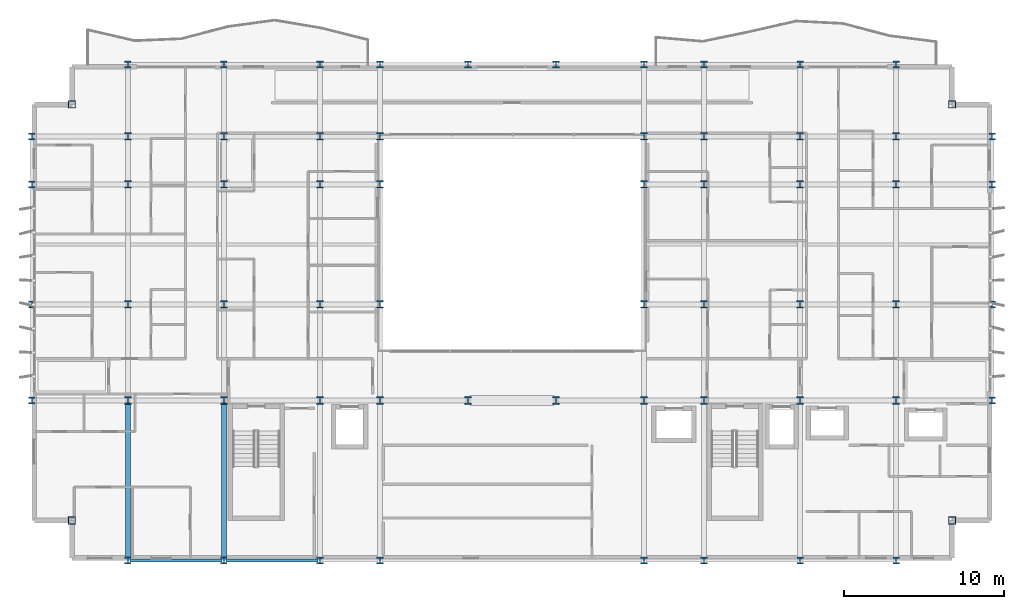
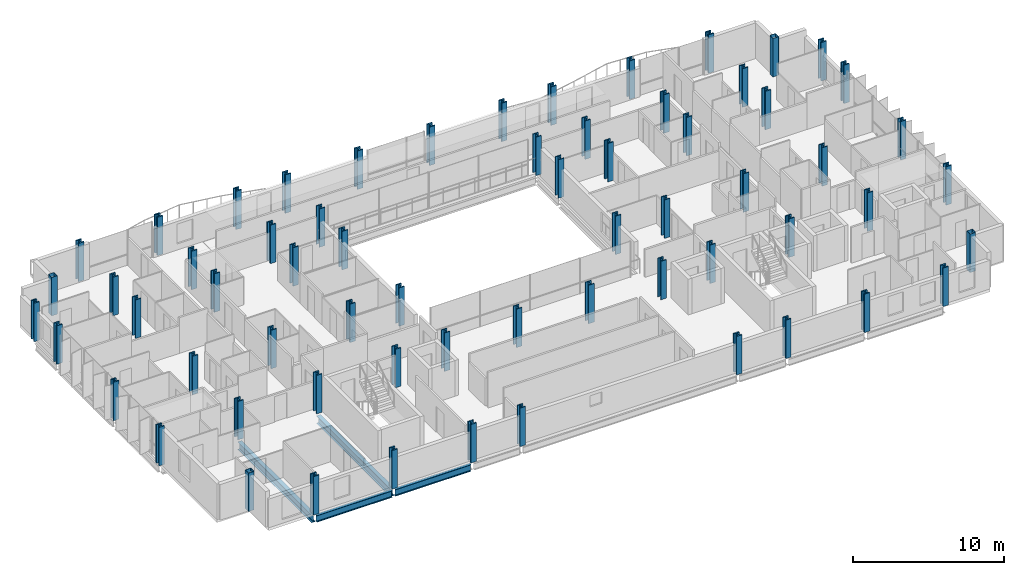
# One storey, part 1 of 38: 64 columns, 4 beams.
"""IFC4 building model written with IfcOpenShell, lengths in metres."""

from ifc_helpers import new_model, si_unit, direction, frame, origin, origin_2d, place, context, subcontext, project, spatial, hollow_rectangle, i_section, extrude, material, material_profile, profile_set, type_object, element, save


model = new_model("IFC4")

# Units and contexts
model_context = context("Model", 3, precision=1e-05, world=origin(), true_north=direction((0.0, 1.0)))
body_context = subcontext(model_context, "Body", "Model", "MODEL_VIEW")
ifc_project = project(units=[si_unit("LENGTHUNIT", "METRE"), si_unit("AREAUNIT", "SQUARE_METRE"), si_unit("VOLUMEUNIT", "CUBIC_METRE"), si_unit("PLANEANGLEUNIT", "RADIAN"), si_unit("MASSUNIT", "GRAM", prefix="KILO")], contexts=[model_context])

# Site, building, storey
site_placement = place(None, origin())
site = spatial("IfcSite", under=ifc_project, at=site_placement, CompositionType="ELEMENT")
building_placement = place(site_placement, origin())
building = spatial("IfcBuilding", under=site, at=building_placement, Name="Brevholm Reach", CompositionType="ELEMENT")
storey_placement = place(building_placement, frame((0.0, 0.0, 59.0)))
storey = spatial("IfcBuildingStorey", under=building, at=storey_placement, Name="L16", CompositionType="ELEMENT", Elevation=59.0)

# Columns
ifc_material_1 = material(Name="Structural Steel S460ML", Category="steel")
ifc_material_profile_1 = material_profile(ifc_material_1, i_section(OverallWidth=0.4140625, OverallDepth=0.444091796875, WebThickness=0.060546875, FlangeThickness=0.096923828125, FilletRadius=0.014892578125, at=origin_2d()), Name="HD 400x818")
ifc_profile_set_1 = profile_set([ifc_material_profile_1], Name="Structural Steel S460ML")
column_type_1 = type_object("IfcColumnType", Name="COL-HD2", PredefinedType="COLUMN", material=ifc_profile_set_1)
for number, where, z_axis, x_axis, name in (
    (1, (0.0, 10.0, 0.0), (0.0, 0.0, 1.0), (1.0, 0.0, 0.0), "L16 Column 01"),
    (2, (0.0, 16.0, 0.0), (0.0, 0.0, 1.0), (1.0, 0.0, 0.0), "L16 Column 02"),
    (3, (0.0, 23.5, 0.0), (0.0, 0.0, 1.0), (1.0, 0.0, 0.0), "L16 Column 03"),
    (4, (0.0, 26.5, 0.0), (0.0, 0.0, 1.0), (1.0, 0.0, 0.0), "L16 Column 04"),
    (5, (6.0, 0.0, 0.0), (0.0, 0.0, 1.0), (1.0, 0.0, 0.0), "L16 Column 07"),
    (6, (6.0, 31.0, 0.0), (0.0, 0.0, 1.0), (1.0, 0.0, 0.0), "L16 Column 12"),
    (7, (12.0, 0.0, 0.0), (0.0, 0.0, 1.0), (1.0, 0.0, 0.0), "L16 Column 13"),
    (8, (12.0, 31.0, 0.0), (0.0, 0.0, 1.0), (1.0, 0.0, 0.0), "L16 Column 18"),
    (9, (18.0, 0.0, 0.0), (0.0, 0.0, 1.0), (1.0, 0.0, 0.0), "L16 Column 19"),
    (10, (18.0, 31.0, 0.0), (0.0, 0.0, 1.0), (1.0, 0.0, 0.0), "L16 Column 24"),
    (11, (21.75, 0.0, 0.0), (0.0, 0.0, 1.0), (1.0, 0.0, 0.0), "L16 Column 25"),
    (12, (21.75, 31.0, 0.0), (0.0, 0.0, 1.0), (1.0, 0.0, 0.0), "L16 Column 30"),
    (13, (27.25, 31.0, 0.0), (0.0, 0.0, 1.0), (1.0, 0.0, 0.0), "L16 Column 32"),
    (14, (32.75, 31.0, 0.0), (0.0, 0.0, 1.0), (1.0, 0.0, 0.0), "L16 Column 34"),
    (15, (38.25, 0.0, 0.0), (0.0, 0.0, 1.0), (1.0, 0.0, 0.0), "L16 Column 35"),
    (16, (38.25, 31.0, 0.0), (0.0, 0.0, 1.0), (1.0, 0.0, 0.0), "L16 Column 40"),
    (17, (42.0, 0.0, 0.0), (0.0, 0.0, 1.0), (1.0, 0.0, 0.0), "L16 Column 41"),
    (18, (42.0, 31.0, 0.0), (0.0, 0.0, 1.0), (1.0, 0.0, 0.0), "L16 Column 46"),
    (19, (48.0, 0.0, 0.0), (0.0, 0.0, 1.0), (1.0, 0.0, 0.0), "L16 Column 47"),
    (20, (48.0, 31.0, 0.0), (0.0, 0.0, 1.0), (1.0, 0.0, 0.0), "L16 Column 52"),
    (21, (54.0, 0.0, 0.0), (0.0, 0.0, 1.0), (1.0, 0.0, 0.0), "L16 Column 53"),
    (22, (54.0, 31.0, 0.0), (0.0, 0.0, 1.0), (1.0, 0.0, 0.0), "L16 Column 58"),
    (23, (60.0, 10.0, 0.0), (0.0, 0.0, 1.0), (1.0, 0.0, 0.0), "L16 Column 61"),
    (24, (60.0, 16.0, 0.0), (0.0, 0.0, 1.0), (1.0, 0.0, 0.0), "L16 Column 62"),
    (25, (60.0, 23.5, 0.0), (0.0, 0.0, 1.0), (1.0, 0.0, 0.0), "L16 Column 63"),
    (26, (60.0, 26.5, 0.0), (0.0, 0.0, 1.0), (1.0, 0.0, 0.0), "L16 Column 64"),
):
    element("IfcColumn", number, at=place(storey_placement, frame(where, z_axis=z_axis, x_axis=x_axis)), inside=storey, type_object=column_type_1, Name=name, PredefinedType="COLUMN", context=body_context, shape_type="SweptSolid", body=[
        extrude(i_section(OverallWidth=0.4140625, OverallDepth=0.444091796875, WebThickness=0.060546875, FlangeThickness=0.096923828125, FilletRadius=0.014892578125, at=origin_2d()), origin(), (0.0, 0.0, 1.0), 3.10009765625),
    ])
ifc_material_2 = material(Name="Structural Steel S460NH", Category="steel")
ifc_material_profile_2 = material_profile(ifc_material_2, hollow_rectangle(XDim=0.449951171875, YDim=0.449951171875, WallThickness=0.02490234375, InnerFilletRadius=0.011962890625, OuterFilletRadius=0.02392578125, at=origin_2d()), Name="SHS 450x450x25")
ifc_profile_set_2 = profile_set([ifc_material_profile_2], Name="Structural Steel S460NH")
column_type_2 = type_object("IfcColumnType", Name="COL-SHS1", PredefinedType="COLUMN", material=ifc_profile_set_2)
for number, where, z_axis, x_axis, name in (
    (27, (2.5, 2.5, 0.0), (0.0, 0.0, 1.0), (1.0, 0.0, 0.0), "L16 Column 05"),
    (28, (2.5, 28.5, 0.0), (0.0, 0.0, 1.0), (1.0, 0.0, 0.0), "L16 Column 06"),
    (29, (57.5, 2.5, 0.0), (0.0, 0.0, 1.0), (1.0, 0.0, 0.0), "L16 Column 59"),
    (30, (57.5, 28.5, 0.0), (0.0, 0.0, 1.0), (1.0, 0.0, 0.0), "L16 Column 60"),
):
    element("IfcColumn", number, at=place(storey_placement, frame(where, z_axis=z_axis, x_axis=x_axis)), inside=storey, type_object=column_type_2, Name=name, PredefinedType="COLUMN", context=body_context, shape_type="SweptSolid", body=[
        extrude(hollow_rectangle(XDim=0.449951171875, YDim=0.449951171875, WallThickness=0.02490234375, InnerFilletRadius=0.011962890625, OuterFilletRadius=0.02392578125, at=origin_2d()), origin(), (0.0, 0.0, 1.0), 3.10009765625),
    ])
ifc_material_3 = material(Name="Structural Steel S460ML", Category="steel")
ifc_material_profile_3 = material_profile(ifc_material_3, i_section(OverallWidth=0.424072265625, OverallDepth=0.474609375, WebThickness=0.047607421875, FlangeThickness=0.076904296875, FilletRadius=0.01513671875, at=origin_2d()), Name="UKC 356x406x634")
ifc_profile_set_3 = profile_set([ifc_material_profile_3], Name="Structural Steel S460ML")
column_type_3 = type_object("IfcColumnType", Name="COL-UC1", PredefinedType="COLUMN", material=ifc_profile_set_3)
for number, where, z_axis, x_axis, name in (
    (31, (6.0, 10.0, 0.0), (0.0, 0.0, 1.0), (1.0, 0.0, 0.0), "L16 Column 08"),
    (32, (6.0, 16.0, 0.0), (0.0, 0.0, 1.0), (1.0, 0.0, 0.0), "L16 Column 09"),
    (33, (6.0, 23.5, 0.0), (0.0, 0.0, 1.0), (1.0, 0.0, 0.0), "L16 Column 10"),
    (34, (6.0, 26.5, 0.0), (0.0, 0.0, 1.0), (1.0, 0.0, 0.0), "L16 Column 11"),
    (35, (12.0, 10.0, 0.0), (0.0, 0.0, 1.0), (1.0, 0.0, 0.0), "L16 Column 14"),
    (36, (12.0, 16.0, 0.0), (0.0, 0.0, 1.0), (1.0, 0.0, 0.0), "L16 Column 15"),
    (37, (12.0, 23.5, 0.0), (0.0, 0.0, 1.0), (1.0, 0.0, 0.0), "L16 Column 16"),
    (38, (12.0, 26.5, 0.0), (0.0, 0.0, 1.0), (1.0, 0.0, 0.0), "L16 Column 17"),
    (39, (18.0, 10.0, 0.0), (0.0, 0.0, 1.0), (1.0, 0.0, 0.0), "L16 Column 20"),
    (40, (18.0, 16.0, 0.0), (0.0, 0.0, 1.0), (1.0, 0.0, 0.0), "L16 Column 21"),
    (41, (18.0, 23.5, 0.0), (0.0, 0.0, 1.0), (1.0, 0.0, 0.0), "L16 Column 22"),
    (42, (18.0, 26.5, 0.0), (0.0, 0.0, 1.0), (1.0, 0.0, 0.0), "L16 Column 23"),
    (43, (21.75, 10.0, 0.0), (0.0, 0.0, 1.0), (1.0, 0.0, 0.0), "L16 Column 26"),
    (44, (21.75, 16.0, 0.0), (0.0, 0.0, 1.0), (1.0, 0.0, 0.0), "L16 Column 27"),
    (45, (21.75, 23.5, 0.0), (0.0, 0.0, 1.0), (1.0, 0.0, 0.0), "L16 Column 28"),
    (46, (21.75, 26.5, 0.0), (0.0, 0.0, 1.0), (1.0, 0.0, 0.0), "L16 Column 29"),
    (47, (27.25, 10.0, 0.0), (0.0, 0.0, 1.0), (1.0, 0.0, 0.0), "L16 Column 31"),
    (48, (32.75, 10.0, 0.0), (0.0, 0.0, 1.0), (1.0, 0.0, 0.0), "L16 Column 33"),
    (49, (38.25, 10.0, 0.0), (0.0, 0.0, 1.0), (1.0, 0.0, 0.0), "L16 Column 36"),
    (50, (38.25, 16.0, 0.0), (0.0, 0.0, 1.0), (1.0, 0.0, 0.0), "L16 Column 37"),
    (51, (38.25, 23.5, 0.0), (0.0, 0.0, 1.0), (1.0, 0.0, 0.0), "L16 Column 38"),
    (52, (38.25, 26.5, 0.0), (0.0, 0.0, 1.0), (1.0, 0.0, 0.0), "L16 Column 39"),
    (53, (42.0, 10.0, 0.0), (0.0, 0.0, 1.0), (1.0, 0.0, 0.0), "L16 Column 42"),
    (54, (42.0, 16.0, 0.0), (0.0, 0.0, 1.0), (1.0, 0.0, 0.0), "L16 Column 43"),
    (55, (42.0, 23.5, 0.0), (0.0, 0.0, 1.0), (1.0, 0.0, 0.0), "L16 Column 44"),
    (56, (42.0, 26.5, 0.0), (0.0, 0.0, 1.0), (1.0, 0.0, 0.0), "L16 Column 45"),
    (57, (48.0, 10.0, 0.0), (0.0, 0.0, 1.0), (1.0, 0.0, 0.0), "L16 Column 48"),
    (58, (48.0, 16.0, 0.0), (0.0, 0.0, 1.0), (1.0, 0.0, 0.0), "L16 Column 49"),
    (59, (48.0, 23.5, 0.0), (0.0, 0.0, 1.0), (1.0, 0.0, 0.0), "L16 Column 50"),
    (60, (48.0, 26.5, 0.0), (0.0, 0.0, 1.0), (1.0, 0.0, 0.0), "L16 Column 51"),
    (61, (54.0, 10.0, 0.0), (0.0, 0.0, 1.0), (1.0, 0.0, 0.0), "L16 Column 54"),
    (62, (54.0, 16.0, 0.0), (0.0, 0.0, 1.0), (1.0, 0.0, 0.0), "L16 Column 55"),
    (63, (54.0, 23.5, 0.0), (0.0, 0.0, 1.0), (1.0, 0.0, 0.0), "L16 Column 56"),
    (64, (54.0, 26.5, 0.0), (0.0, 0.0, 1.0), (1.0, 0.0, 0.0), "L16 Column 57"),
):
    element("IfcColumn", number, at=place(storey_placement, frame(where, z_axis=z_axis, x_axis=x_axis)), inside=storey, type_object=column_type_3, Name=name, PredefinedType="COLUMN", context=body_context, shape_type="SweptSolid", body=[
        extrude(i_section(OverallWidth=0.424072265625, OverallDepth=0.474609375, WebThickness=0.047607421875, FlangeThickness=0.076904296875, FilletRadius=0.01513671875, at=origin_2d()), origin(), (0.0, 0.0, 1.0), 3.10009765625),
    ])

# Beams
ifc_material_4 = material(Name="Structural Steel S355J2", Category="steel")
ifc_material_profile_4 = material_profile(ifc_material_4, i_section(OverallWidth=0.210693359375, OverallDepth=0.53955078125, WebThickness=0.01171875, FlangeThickness=0.018798828125, FilletRadius=0.0126953125, at=origin_2d()), Name="UKB 533x210x109")
ifc_profile_set_4 = profile_set([ifc_material_profile_4], Name="Structural Steel S355J2")
beam_type_1 = type_object("IfcBeamType", Name="BM-SP539", PredefinedType="SPANDREL", material=ifc_profile_set_4)
for number, where, z_axis, x_axis, name in (
    (65, (6.1201171875, 0.0, -0.499755859375), (1.0, 0.0, 0.0), (0.0, 1.0, 0.0), "L16 SP-01B Framing Beam"),
    (66, (12.1201171875, 0.0, -0.499755859375), (1.0, 0.0, 0.0), (0.0, 1.0, 0.0), "L16 SP-01B Framing Beam"),
):
    element("IfcBeam", number, at=place(storey_placement, frame(where, z_axis=z_axis, x_axis=x_axis)), inside=storey, type_object=beam_type_1, Name=name, PredefinedType="SPANDREL", context=body_context, shape_type="SweptSolid", body=[
        extrude(i_section(OverallWidth=0.210693359375, OverallDepth=0.53955078125, WebThickness=0.01171875, FlangeThickness=0.018798828125, FilletRadius=0.0126953125, at=origin_2d()), origin(), (0.0, 0.0, 1.0), 5.759765625),
    ])
ifc_material_5 = material(Name="Structural Steel S355J2", Category="steel")
ifc_material_profile_5 = material_profile(ifc_material_5, i_section(OverallWidth=0.30712890625, OverallDepth=0.6201171875, WebThickness=0.01416015625, FlangeThickness=0.023681640625, FilletRadius=0.0166015625, at=origin_2d()), Name="UKB 610x305x179")
ifc_profile_set_5 = profile_set([ifc_material_profile_5], Name="Structural Steel S355J2")
beam_type_2 = type_object("IfcBeamType", Name="BM-UKB610H", PredefinedType="USERDEFINED", material=ifc_profile_set_5)
for number, where, z_axis, x_axis, name in (
    (67, (6.0, 0.1201171875, -0.5400390625), (0.0, 1.0, 0.0), (-1.0, 0.0, 0.0), "L16 G-06 Framing Beam"),
    (68, (12.0, 0.1201171875, -0.5400390625), (0.0, 1.0, 0.0), (-1.0, 0.0, 0.0), "L16 G-06 Framing Beam"),
):
    element("IfcBeam", number, at=place(storey_placement, frame(where, z_axis=z_axis, x_axis=x_axis)), inside=storey, type_object=beam_type_2, Name=name, ObjectType="GIRDER", PredefinedType="USERDEFINED", context=body_context, shape_type="SweptSolid", body=[
        extrude(i_section(OverallWidth=0.30712890625, OverallDepth=0.6201171875, WebThickness=0.01416015625, FlangeThickness=0.023681640625, FilletRadius=0.0166015625, at=origin_2d()), origin(), (0.0, 0.0, 1.0), 9.759765625),
    ])

save(model, "model.ifc")
